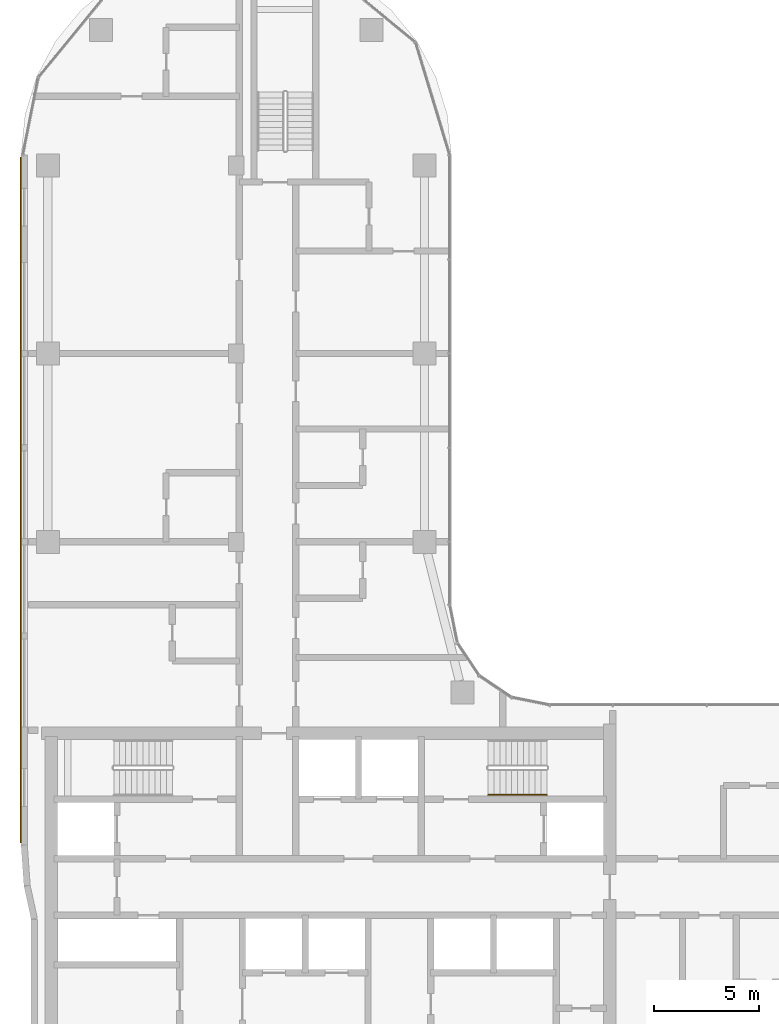
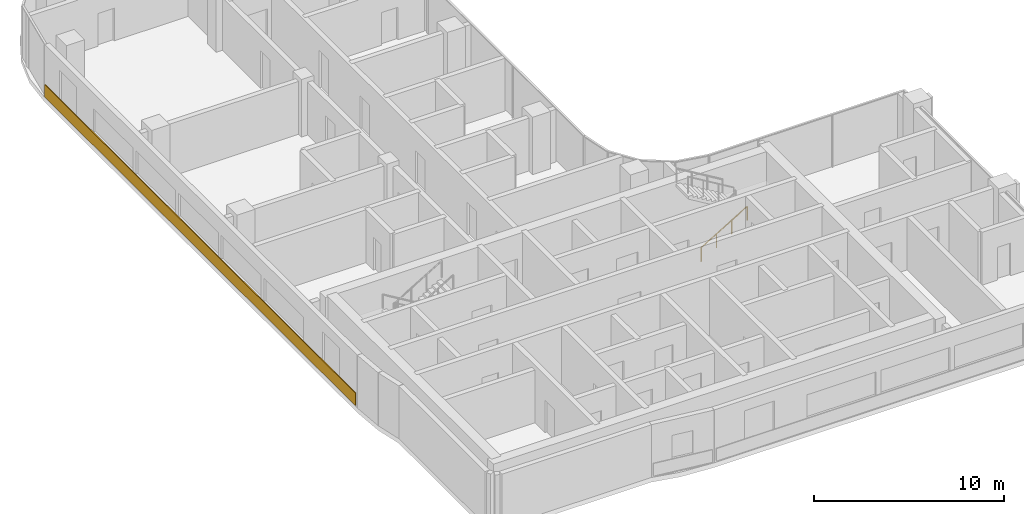
# One storey, part 19 of 23: 1 covering, 1 railing.
"""IFC4 building model written with IfcOpenShell, lengths in metres."""

import ifcopenshell
import ifcopenshell.guid

model = None  # the IFC model being written
_history = None  # IfcOwnerHistory: only IFC2X3 demands one
_inside = {}  # id of a spatial element -> (the spatial element, [elements in it])
_under = {}  # id of a project, library or spatial element -> (it, [spatial elements below it])
_declared = {}  # id of a project -> (the project, [libraries it declares])
_typed = {}  # id of a type object -> (the type object, [elements of that type])
_made_of = {}  # id of a material, layer set ... -> (it, [elements and type objects made of it])


def new_model(schema):
    """Start an empty IFC model of exactly this schema.

    Asked for "IFC4X3", IfcOpenShell would pick the latest addendum, in which some entities
    have other attributes; the version numbers below select the first issue.
    IFC2X3 requires an IfcOwnerHistory on every rooted entity: one is made here for all.
    """
    global model, _history
    if schema == "IFC4X3":
        model = ifcopenshell.file(schema_version=(4, 3, 0, 0))
    else:
        model = ifcopenshell.file(schema=schema)
    _inside.clear()
    _under.clear()
    _declared.clear()
    _typed.clear()
    _made_of.clear()
    _history = None
    if model.schema == "IFC2X3":
        org = make("IfcOrganization", Name="unknown")
        user = make(
            "IfcPersonAndOrganization",
            ThePerson=make("IfcPerson", FamilyName="unknown"),
            TheOrganization=org,
        )
        app = make(
            "IfcApplication",
            ApplicationDeveloper=org,
            Version="unknown",
            ApplicationFullName="unknown",
            ApplicationIdentifier="unknown",
        )
        _history = make(
            "IfcOwnerHistory",
            OwningUser=user,
            OwningApplication=app,
            ChangeAction="ADDED",
            CreationDate=0,
        )
    return model


def make(cls, **values):
    """One entity of the class cls with the attributes given. An attribute that is None is left unset."""
    return model.create_entity(
        cls, **{name: value for name, value in values.items() if value is not None}
    )


def rooted(cls, **values):
    """An entity with a GlobalId (a new one), such as an element, a storey or a relation."""
    return make(cls, GlobalId=ifcopenshell.guid.new(), OwnerHistory=_history, **values)


def si_unit(unit_type, name, prefix=None):
    """IfcSIUnit, for example si_unit("LENGTHUNIT", "METRE", prefix="MILLI")."""
    return make("IfcSIUnit", UnitType=unit_type, Prefix=prefix, Name=name)


def assignment(units):
    """IfcUnitAssignment: the units of a project."""
    return None if units is None else make("IfcUnitAssignment", Units=units)


def point(xyz):
    """IfcCartesianPoint."""
    return None if xyz is None else make("IfcCartesianPoint", Coordinates=xyz)


def direction(xyz):
    """IfcDirection."""
    return None if xyz is None else make("IfcDirection", DirectionRatios=xyz)


def frame(location, z_axis=None, x_axis=None):
    """IfcAxis2Placement3D, a coordinate frame: its origin and axes. An axis left out is left unset."""
    return make(
        "IfcAxis2Placement3D",
        Location=point(location),
        Axis=direction(z_axis),
        RefDirection=direction(x_axis),
    )


def frame_2d(location, x_axis=None):
    """IfcAxis2Placement2D, a coordinate frame in the plane: its origin and x axis."""
    return make(
        "IfcAxis2Placement2D", Location=point(location), RefDirection=direction(x_axis)
    )


def origin():
    """The frame at (0, 0, 0) with its axes left unset."""
    return frame((0.0, 0.0, 0.0))


def origin_2d():
    """The frame at (0, 0) in the plane with its x axis left unset."""
    return frame_2d((0.0, 0.0))


def place(relative_to, where):
    """IfcLocalPlacement: puts the frame where relative to a parent placement (None: the world)."""
    return make(
        "IfcLocalPlacement", PlacementRelTo=relative_to, RelativePlacement=where
    )


def context(
    kind, dimensions, precision=None, world=None, true_north=None, identifier=None
):
    """IfcGeometricRepresentationContext, for example the 3D "Model" context."""
    return make(
        "IfcGeometricRepresentationContext",
        ContextIdentifier=identifier,
        ContextType=kind,
        CoordinateSpaceDimension=dimensions,
        Precision=precision,
        WorldCoordinateSystem=world,
        TrueNorth=true_north,
    )


def subcontext(parent, identifier, kind, view, scale=None):
    """IfcGeometricRepresentationSubContext, for example "Body" below "Model"."""
    return make(
        "IfcGeometricRepresentationSubContext",
        ContextIdentifier=identifier,
        ContextType=kind,
        ParentContext=parent,
        TargetScale=scale,
        TargetView=view,
    )


def project(units=None, contexts=None):
    """IfcProject with its units and contexts."""
    return rooted(
        "IfcProject",
        Name="project",
        RepresentationContexts=contexts,
        UnitsInContext=assignment(units),
    )


def spatial(cls, under=None, at=None, **own):
    """A site, building, storey or space (cls), placed at a placement, below another one or the project."""
    s = rooted(cls, ObjectPlacement=at, **own)
    if under is not None:
        _under.setdefault(under.id(), (under, []))[1].append(s)
    return s


def profile(cls, at=None, kind="AREA", **sizes):
    """A parametric profile (cls). Its sizes go by their IFC names, for example OverallWidth=200.0."""
    return make(cls, ProfileType=kind, Position=at, **sizes)


def rectangle(**sizes):
    """IfcRectangleProfileDef."""
    return profile("IfcRectangleProfileDef", **sizes)


def circle(**sizes):
    """IfcCircleProfileDef."""
    return profile("IfcCircleProfileDef", **sizes)


def extrude(swept, where, along, depth):
    """IfcExtrudedAreaSolid: the profile swept, set in the frame where, extruded along a direction by depth."""
    return make(
        "IfcExtrudedAreaSolid",
        SweptArea=swept,
        Position=where,
        ExtrudedDirection=direction(along),
        Depth=depth,
    )


def shape(context_of_items, identifier, shape_type, items):
    """IfcShapeRepresentation: the items that make up one representation, for example the "Body"."""
    return make(
        "IfcShapeRepresentation",
        ContextOfItems=context_of_items,
        RepresentationIdentifier=identifier,
        RepresentationType=shape_type,
        Items=items,
    )


def material(Name=None, Category=None):
    """IfcMaterial."""
    return make("IfcMaterial", Name=Name, Category=Category)


def layer(
    of_material, thickness, ventilated=None, Name=None, Category=None, Priority=None
):
    """IfcMaterialLayer: one layer of a wall or slab, of a material (None: an air gap)."""
    return make(
        "IfcMaterialLayer",
        Material=of_material,
        LayerThickness=thickness,
        IsVentilated=ventilated,
        Name=Name,
        Category=Category,
        Priority=Priority,
    )


def layer_set(layers, Name=None):
    """IfcMaterialLayerSet."""
    return make("IfcMaterialLayerSet", MaterialLayers=layers, LayerSetName=Name)


def made_of(thing, what):
    """Note that an element or type object is made of a material, layer set ...; save() writes the relation."""
    if what is not None:
        _made_of.setdefault(what.id(), (what, []))[1].append(thing)
    return thing


def type_object(cls, material=None, **own):
    """A type object (cls), such as IfcWallType, which elements share."""
    return made_of(rooted(cls, **own), material)


def element(
    cls,
    number,
    at=None,
    inside=None,
    cuts=None,
    type_object=None,
    material=None,
    context=None,
    identifier="Body",
    shape_type=None,
    held_by="IfcProductDefinitionShape",
    body=None,
    shapes=None,
    **own,
):
    """One element of the class cls, such as IfcWall. Its Tag is "e" and its number.

    at: its placement. inside: the storey or other place that contains it. cuts: it is an
    opening in that element (IfcRelVoidsElement). A single representation is given by context,
    identifier, shape_type and body (its items); several are given by shapes. held_by: the class
    of the entity that holds the representations. save() writes the other relations.
    """
    e = rooted(cls, Tag="e%d" % number, ObjectPlacement=at, **own)
    if body is not None:
        shapes = [shape(context, identifier, shape_type, body)]
    if shapes is not None:
        e.Representation = make(held_by, Representations=shapes)
    if inside is not None:
        _inside.setdefault(inside.id(), (inside, []))[1].append(e)
    if cuts is not None:
        rooted(
            "IfcRelVoidsElement", RelatingBuildingElement=cuts, RelatedOpeningElement=e
        )
    if type_object is not None:
        _typed.setdefault(type_object.id(), (type_object, []))[1].append(e)
    return made_of(e, material)


def aggregate(whole, parts):
    """IfcRelAggregates: a whole, such as a stair, and the parts it consists of."""
    return rooted("IfcRelAggregates", RelatingObject=whole, RelatedObjects=parts)


def save(model, path):
    """Write the relations noted so far, then the file.

    IfcRelAggregates (storeys below a building ...), IfcRelContainedInSpatialStructure (elements
    in a storey), IfcRelDefinesByType, IfcRelAssociatesMaterial and IfcRelDeclares: one each for
    every whole, place, type object, material and project.
    """
    for whole, parts in _under.values():
        aggregate(whole, parts)
    for where, things in _inside.values():
        rooted(
            "IfcRelContainedInSpatialStructure",
            RelatedElements=things,
            RelatingStructure=where,
        )
    for kind, things in _typed.values():
        rooted("IfcRelDefinesByType", RelatedObjects=things, RelatingType=kind)
    for what, things in _made_of.values():
        rooted("IfcRelAssociatesMaterial", RelatedObjects=things, RelatingMaterial=what)
    for by, libraries in _declared.values():
        rooted("IfcRelDeclares", RelatingContext=by, RelatedDefinitions=libraries)
    model.write(path)


model = new_model("IFC4")

# Units and contexts
model_context = context("Model", 3, precision=1e-05, world=origin(), true_north=direction((0.0, 1.0)))
body_context = subcontext(model_context, "Body", "Model", "MODEL_VIEW")
ifc_project = project(units=[si_unit("LENGTHUNIT", "METRE"), si_unit("AREAUNIT", "SQUARE_METRE"), si_unit("VOLUMEUNIT", "CUBIC_METRE"), si_unit("PLANEANGLEUNIT", "RADIAN"), si_unit("MASSUNIT", "GRAM", prefix="KILO")], contexts=[model_context])

# Site, building, storey
site_placement = place(None, origin())
site = spatial("IfcSite", under=ifc_project, at=site_placement, CompositionType="ELEMENT")
building_placement = place(site_placement, origin())
building = spatial("IfcBuilding", under=site, at=building_placement, Name="Ogive Portal Towers", CompositionType="ELEMENT")
storey_placement = place(building_placement, frame((0.0, 0.0, 168.10009765625)))
storey = spatial("IfcBuildingStorey", under=building, at=storey_placement, Name="L41", CompositionType="ELEMENT", Elevation=168.10009765625)

# Railing
ifc_material_1 = material(Name="Stainless steel handrail", Category="steel")
railing_type = type_object("IfcRailingType", Name="INT-HANDRAIL", PredefinedType="HANDRAIL", material=ifc_material_1)
railing_placement = place(storey_placement, frame((52.550048828125, 36.39990234375, 0.16796875)))
element("IfcRailing", 1, at=railing_placement, inside=storey, type_object=railing_type, Name="L41 ST-A2 stair handrail 1", PredefinedType="HANDRAIL", context=body_context, shape_type="SweptSolid", body=[
    extrude(circle(Radius=0.02392578125, at=origin_2d()), frame((0.0, 0.0, 0.8759765625), z_axis=(0.857242210791, 0.0, 0.514913383045), x_axis=(0.0, 1.0, 0.0)), (0.0, 0.0, 1.0), 3.266357421875),
    extrude(circle(Radius=0.02099609375, at=origin_2d()), origin(), (0.0, 0.0, 1.0), 0.851806640625),
    extrude(circle(Radius=0.02099609375, at=origin_2d()), frame((0.933349609375, 0.0, 0.560546875)), (0.0, 0.0, 1.0), 0.851806640625),
    extrude(circle(Radius=0.02099609375, at=origin_2d()), frame((1.86669921875, 0.0, 1.121337890625)), (0.0, 0.0, 1.0), 0.851806640625),
    extrude(circle(Radius=0.02099609375, at=origin_2d()), frame((2.800048828125, 0.0, 1.681884765625)), (0.0, 0.0, 1.0), 0.851806640625),
])

# Covering
ifc_material_2 = material(Name="Limestone cladding on lightweight block wall", Category="masonry")
ifc_layer = layer(ifc_material_2, 0.050048828125)
ifc_layer_set = layer_set([ifc_layer], Name="SCREEN PERFORATED STONE")
covering_type = type_object("IfcCoveringType", Name="SCREEN PERFORATED STONE", PredefinedType="CLADDING", material=ifc_layer_set)
covering_placement = place(storey_placement, frame((30.18994140625, 50.50146484375, 0.10009765625), z_axis=(0.0, 0.0, 1.0), x_axis=(0.0, -1.0, 0.0)))
element("IfcCovering", 2, at=covering_placement, inside=storey, type_object=covering_type, Name="Tracery screen", PredefinedType="CLADDING", context=body_context, shape_type="SweptSolid", body=[
    extrude(rectangle(XDim=32.781494140625, YDim=0.050048828125, at=origin_2d()), origin(), (0.0, 0.0, 1.0), 0.800048828125),
])

save(model, "model.ifc")
